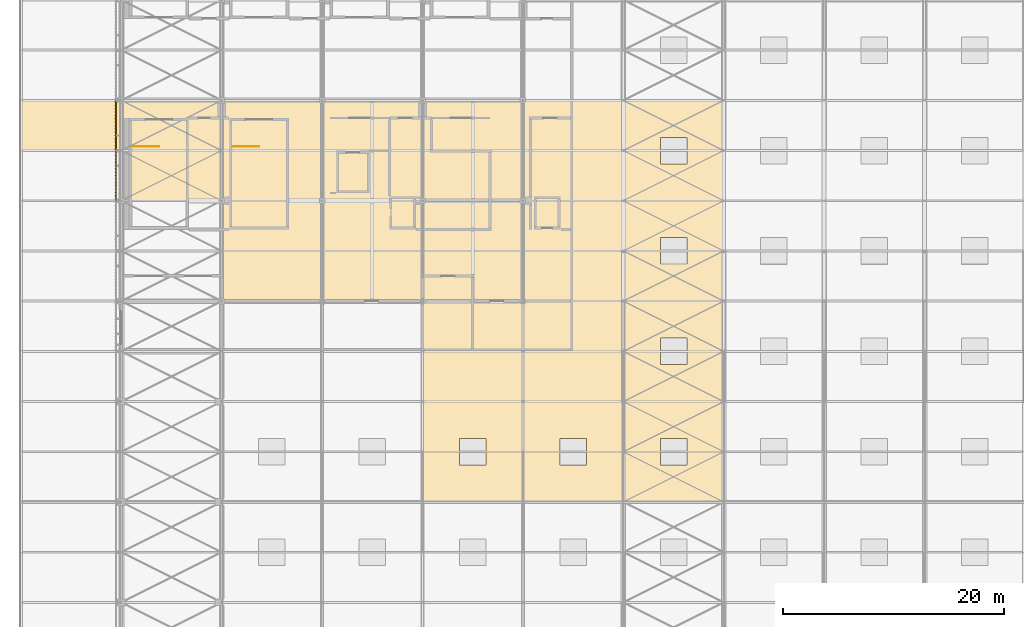
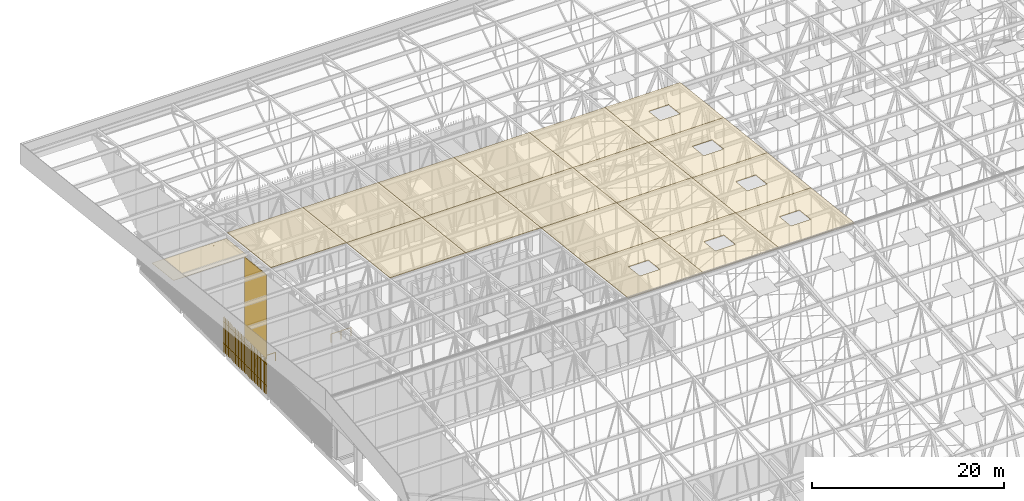
# One storey, part 472 of 500: 18 coverings, 2 railings, 2 shading devices.
"""IFC4 building model written with IfcOpenShell, lengths in metres."""

from ifc_helpers import new_model, si_unit, direction, frame, origin, origin_2d, place, context, subcontext, project, spatial, polyline, rectangle, circle, outline, extrude, material, layer, layer_set, type_object, element, save


model = new_model("IFC4")

# Units and contexts
model_context = context("Model", 3, precision=1e-05, world=origin(), true_north=direction((0.0, 1.0)))
body_context = subcontext(model_context, "Body", "Model", "MODEL_VIEW")
ifc_project = project(units=[si_unit("LENGTHUNIT", "METRE"), si_unit("AREAUNIT", "SQUARE_METRE"), si_unit("VOLUMEUNIT", "CUBIC_METRE"), si_unit("PLANEANGLEUNIT", "RADIAN"), si_unit("MASSUNIT", "GRAM", prefix="KILO")], contexts=[model_context])

# Site, building, storey
site_placement = place(None, origin())
site = spatial("IfcSite", under=ifc_project, at=site_placement, CompositionType="ELEMENT")
building_placement = place(site_placement, origin())
building = spatial("IfcBuilding", under=site, at=building_placement, Name="Shirokan Park Arena", CompositionType="ELEMENT")
storey_placement = place(building_placement, frame((0.0, 0.0, 29.1201171875)))
storey = spatial("IfcBuildingStorey", under=building, at=storey_placement, Name="L06", CompositionType="ELEMENT", Elevation=29.1201171875)

# Coverings
ifc_material_1 = material(Name="Bituminous roofing membrane")
ifc_layer_1 = layer(ifc_material_1, 0.010009765625, Name="Bituminous roofing membrane")
ifc_material_2 = material(Name="Mineral wool insulation")
ifc_layer_2 = layer(ifc_material_2, 0.050048828125, Name="Mineral wool insulation")
ifc_layer_set_1 = layer_set([ifc_layer_1, ifc_layer_2], Name="Bituminous roofing membrane + Mineral wool insulation")
covering_type_1 = type_object("IfcCoveringType", Name="Roofing membrane 60", PredefinedType="ROOFING", material=ifc_layer_set_1)
covering_1_placement = place(storey_placement, frame((0.0, 81.89990234375, 16.05078125), z_axis=(0.0, 0.113549598152, 0.993532328996), x_axis=(1.0, 0.0, 0.0)))
element("IfcCovering", 1, at=covering_1_placement, inside=storey, type_object=covering_type_1, Name="Roofing", PredefinedType="ROOFING", context=body_context, shape_type="SweptSolid", body=[
    extrude(outline(polyline([(0.0, 0.0), (9.10009765625, 0.0), (9.10009765625, 9.15933723611117), (0.0, 9.15933723611117), (0.0, 0.0)])), origin(), (0.0, 0.0, -1.0), 0.06005859375),
])
covering_2_placement = place(storey_placement, frame((9.10009765625, 72.800048828125, 17.090576171875), z_axis=(0.0, 0.113526293343, 0.993534992197), x_axis=(1.0, 0.0, 0.0)))
element("IfcCovering", 2, at=covering_2_placement, inside=storey, type_object=covering_type_1, Name="Roofing", PredefinedType="ROOFING", context=body_context, shape_type="SweptSolid", body=[
    extrude(outline(polyline([(0.0, 0.0), (9.099853515625, 0.0), (9.099853515625, 9.159066954957241), (0.0, 9.159066954957241), (0.0, 0.0)])), origin(), (0.0, 0.0, -1.0), 0.06005859375),
])
covering_3_placement = place(storey_placement, frame((9.10009765625, 81.89990234375, 16.05078125), z_axis=(0.0, 0.113549598152, 0.993532328996), x_axis=(1.0, 0.0, 0.0)))
element("IfcCovering", 3, at=covering_3_placement, inside=storey, type_object=covering_type_1, Name="Roofing", PredefinedType="ROOFING", context=body_context, shape_type="SweptSolid", body=[
    extrude(outline(polyline([(0.0, 0.0), (9.099853515625, 0.0), (9.099853515625, 9.15933723611117), (0.0, 9.15933723611117), (0.0, 0.0)])), origin(), (0.0, 0.0, -1.0), 0.06005859375),
])
covering_4_placement = place(storey_placement, frame((18.199951171875, 72.800048828125, 17.090576171875), z_axis=(0.0, 0.113526293343, 0.993534992197), x_axis=(1.0, 0.0, 0.0)))
element("IfcCovering", 4, at=covering_4_placement, inside=storey, type_object=covering_type_1, Name="Roofing", PredefinedType="ROOFING", context=body_context, shape_type="SweptSolid", body=[
    extrude(outline(polyline([(0.0, 0.0), (9.10009765625, 0.0), (9.10009765625, 9.159066954957241), (0.0, 9.159066954957241), (0.0, 0.0)])), origin(), (0.0, 0.0, -1.0), 0.06005859375),
])
covering_5_placement = place(storey_placement, frame((18.199951171875, 81.89990234375, 16.05078125), z_axis=(0.0, 0.113549598152, 0.993532328996), x_axis=(1.0, 0.0, 0.0)))
element("IfcCovering", 5, at=covering_5_placement, inside=storey, type_object=covering_type_1, Name="Roofing", PredefinedType="ROOFING", context=body_context, shape_type="SweptSolid", body=[
    extrude(outline(polyline([(0.0, 0.0), (9.10009765625, 0.0), (9.10009765625, 9.15933723611117), (0.0, 9.15933723611117), (0.0, 0.0)])), origin(), (0.0, 0.0, -1.0), 0.06005859375),
])
covering_6_placement = place(storey_placement, frame((27.300048828125, 54.60009765625, 19.170654296875), z_axis=(0.0, 0.113552605302, 0.993531985308), x_axis=(1.0, 0.0, 0.0)))
element("IfcCovering", 6, at=covering_6_placement, inside=storey, type_object=covering_type_1, Name="Roofing", PredefinedType="ROOFING", context=body_context, shape_type="SweptSolid", body=[
    extrude(outline(polyline([(0.0, 0.0), (9.099853515625, 0.0), (9.099853515625, 9.159094674549365), (0.0, 9.159094674549365), (0.0, 0.0)]), holes=[polyline([(5.75, 3.371655970585497), (5.75, 5.7874387039638675), (3.349853515625, 5.7874387039638675), (3.349853515625, 3.371655970585497), (5.75, 3.371655970585497)])]), origin(), (0.0, 0.0, -1.0), 0.06005859375),
])
covering_7_placement = place(storey_placement, frame((27.300048828125, 63.699951171875, 18.130615234375), z_axis=(0.0, 0.113549598152, 0.993532328996), x_axis=(1.0, 0.0, 0.0)))
element("IfcCovering", 7, at=covering_7_placement, inside=storey, type_object=covering_type_1, Name="Roofing", PredefinedType="ROOFING", context=body_context, shape_type="SweptSolid", body=[
    extrude(outline(polyline([(0.0, 0.0), (9.099853515625, 0.0), (9.099853515625, 9.15933723611117), (0.0, 9.15933723611117), (0.0, 0.0)])), origin(), (0.0, 0.0, -1.0), 0.06005859375),
])
covering_8_placement = place(storey_placement, frame((27.300048828125, 72.800048828125, 17.090576171875), z_axis=(0.0, 0.113526293343, 0.993534992197), x_axis=(1.0, 0.0, 0.0)))
element("IfcCovering", 8, at=covering_8_placement, inside=storey, type_object=covering_type_1, Name="Roofing", PredefinedType="ROOFING", context=body_context, shape_type="SweptSolid", body=[
    extrude(outline(polyline([(0.0, 0.0), (9.099853515625, 0.0), (9.099853515625, 9.159066954957241), (0.0, 9.159066954957241), (0.0, 0.0)])), origin(), (0.0, 0.0, -1.0), 0.06005859375),
])
covering_9_placement = place(storey_placement, frame((27.300048828125, 81.89990234375, 16.05078125), z_axis=(0.0, 0.113549598152, 0.993532328996), x_axis=(1.0, 0.0, 0.0)))
element("IfcCovering", 9, at=covering_9_placement, inside=storey, type_object=covering_type_1, Name="Roofing", PredefinedType="ROOFING", context=body_context, shape_type="SweptSolid", body=[
    extrude(outline(polyline([(0.0, 0.0), (9.099853515625, 0.0), (9.099853515625, 9.15933723611117), (0.0, 9.15933723611117), (0.0, 0.0)])), origin(), (0.0, 0.0, -1.0), 0.06005859375),
])
covering_10_placement = place(storey_placement, frame((36.39990234375, 54.60009765625, 19.170654296875), z_axis=(0.0, 0.113552605302, 0.993531985308), x_axis=(1.0, 0.0, 0.0)))
element("IfcCovering", 10, at=covering_10_placement, inside=storey, type_object=covering_type_1, Name="Roofing", PredefinedType="ROOFING", context=body_context, shape_type="SweptSolid", body=[
    extrude(outline(polyline([(0.0, 0.0), (9.10009765625, 0.0), (9.10009765625, 9.159094674549367), (0.0, 9.159094674549367), (0.0, 0.0)]), holes=[polyline([(5.75, 3.3716559705854974), (5.75, 5.787438703963868), (3.35009765625, 5.787438703963868), (3.35009765625, 3.3716559705854974), (5.75, 3.3716559705854974)])]), origin(), (0.0, 0.0, -1.0), 0.06005859375),
])
covering_11_placement = place(storey_placement, frame((36.39990234375, 63.699951171875, 18.130615234375), z_axis=(0.0, 0.113549598152, 0.993532328996), x_axis=(1.0, 0.0, 0.0)))
element("IfcCovering", 11, at=covering_11_placement, inside=storey, type_object=covering_type_1, Name="Roofing", PredefinedType="ROOFING", context=body_context, shape_type="SweptSolid", body=[
    extrude(outline(polyline([(0.0, 0.0), (9.10009765625, 0.0), (9.10009765625, 9.15933723611117), (0.0, 9.15933723611117), (0.0, 0.0)])), origin(), (0.0, 0.0, -1.0), 0.06005859375),
])
covering_12_placement = place(storey_placement, frame((36.39990234375, 72.800048828125, 17.090576171875), z_axis=(0.0, 0.113526293343, 0.993534992197), x_axis=(1.0, 0.0, 0.0)))
element("IfcCovering", 12, at=covering_12_placement, inside=storey, type_object=covering_type_1, Name="Roofing", PredefinedType="ROOFING", context=body_context, shape_type="SweptSolid", body=[
    extrude(outline(polyline([(0.0, 0.0), (9.10009765625, 0.0), (9.10009765625, 9.159066954957241), (0.0, 9.159066954957241), (0.0, 0.0)])), origin(), (0.0, 0.0, -1.0), 0.06005859375),
])
covering_13_placement = place(storey_placement, frame((36.39990234375, 81.89990234375, 16.05078125), z_axis=(0.0, 0.113549598152, 0.993532328996), x_axis=(1.0, 0.0, 0.0)))
element("IfcCovering", 13, at=covering_13_placement, inside=storey, type_object=covering_type_1, Name="Roofing", PredefinedType="ROOFING", context=body_context, shape_type="SweptSolid", body=[
    extrude(outline(polyline([(0.0, 0.0), (9.10009765625, 0.0), (9.10009765625, 9.15933723611117), (0.0, 9.15933723611117), (0.0, 0.0)])), origin(), (0.0, 0.0, -1.0), 0.06005859375),
])
covering_14_placement = place(storey_placement, frame((45.5, 54.60009765625, 19.170654296875), z_axis=(0.0, 0.113552605302, 0.993531985308), x_axis=(1.0, 0.0, 0.0)))
element("IfcCovering", 14, at=covering_14_placement, inside=storey, type_object=covering_type_1, Name="Roofing", PredefinedType="ROOFING", context=body_context, shape_type="SweptSolid", body=[
    extrude(outline(polyline([(0.0, 0.0), (9.10009765625, 0.0), (9.10009765625, 9.159094674549367), (0.0, 9.159094674549367), (0.0, 0.0)]), holes=[polyline([(5.75, 3.3716559705854974), (5.75, 5.787438703963868), (3.35009765625, 5.787438703963868), (3.35009765625, 3.3716559705854974), (5.75, 3.3716559705854974)])]), origin(), (0.0, 0.0, -1.0), 0.06005859375),
])
covering_15_placement = place(storey_placement, frame((45.5, 63.699951171875, 18.130615234375), z_axis=(0.0, 0.113549598152, 0.993532328996), x_axis=(1.0, 0.0, 0.0)))
element("IfcCovering", 15, at=covering_15_placement, inside=storey, type_object=covering_type_1, Name="Roofing", PredefinedType="ROOFING", context=body_context, shape_type="SweptSolid", body=[
    extrude(outline(polyline([(0.0, 0.0), (9.10009765625, 0.0), (9.10009765625, 9.15933723611117), (0.0, 9.15933723611117), (0.0, 0.0)]), holes=[polyline([(5.75, 3.3718985323194914), (5.75, 5.787410981721819), (3.35009765625, 5.787410981721819), (3.35009765625, 3.3718985323194914), (5.75, 3.3718985323194914)])]), origin(), (0.0, 0.0, -1.0), 0.06005859375),
])
covering_16_placement = place(storey_placement, frame((45.5, 72.800048828125, 17.090576171875), z_axis=(0.0, 0.113526293343, 0.993534992197), x_axis=(1.0, 0.0, 0.0)))
element("IfcCovering", 16, at=covering_16_placement, inside=storey, type_object=covering_type_1, Name="Roofing", PredefinedType="ROOFING", context=body_context, shape_type="SweptSolid", body=[
    extrude(outline(polyline([(0.0, 0.0), (9.10009765625, 0.0), (9.10009765625, 9.159066954957241), (0.0, 9.159066954957241), (0.0, 0.0)]), holes=[polyline([(5.75, 3.371655970677786), (5.75, 5.787410984279454), (3.35009765625, 5.787410984279454), (3.35009765625, 3.371655970677786), (5.75, 3.371655970677786)])]), origin(), (0.0, 0.0, -1.0), 0.06005859375),
])
covering_17_placement = place(storey_placement, frame((45.5, 81.89990234375, 16.05078125), z_axis=(0.0, 0.113549598152, 0.993532328996), x_axis=(1.0, 0.0, 0.0)))
element("IfcCovering", 17, at=covering_17_placement, inside=storey, type_object=covering_type_1, Name="Roofing", PredefinedType="ROOFING", context=body_context, shape_type="SweptSolid", body=[
    extrude(outline(polyline([(0.0, 0.0), (9.10009765625, 0.0), (9.10009765625, 9.15933723611117), (0.0, 9.15933723611117), (0.0, 0.0)]), holes=[polyline([(5.75, 3.371926254389353), (5.75, 5.78743870379168), (3.35009765625, 5.78743870379168), (3.35009765625, 3.371926254389353), (5.75, 3.371926254389353)])]), origin(), (0.0, 0.0, -1.0), 0.06005859375),
])

# Railings
ifc_material_3 = material(Name="Stainless steel", Category="steel")
railing_type = type_object("IfcRailingType", Name="Stair well guard 1100", PredefinedType="GUARDRAIL", material=ifc_material_3)
for number, where, name in (
    (18, (1.0, 86.800048828125, 0.0), "Guard Exit Stair 4.E L06"),
    (19, (10.10009765625, 86.800048828125, 0.0), "Guard Exit Stair 4.F L06"),
):
    element("IfcRailing", number, at=place(storey_placement, frame(where)), inside=storey, type_object=railing_type, Name=name, PredefinedType="GUARDRAIL", context=body_context, shape_type="SweptSolid", body=[
        extrude(circle(Radius=0.02490234375, at=origin_2d()), frame((0.0, 0.0, 1.0771484375), z_axis=(1.0, 0.0, 0.0), x_axis=(0.0, 1.0, 0.0)), (0.0, 0.0, 1.0), 2.39990234375),
        extrude(circle(Radius=0.02490234375, at=origin_2d()), origin(), (0.0, 0.0, 1.0), 1.052001953125),
        extrude(circle(Radius=0.02490234375, at=origin_2d()), frame((1.199951171875, 0.0, 0.0)), (0.0, 0.0, 1.0), 1.052001953125),
        extrude(circle(Radius=0.02490234375, at=origin_2d()), frame((2.39990234375, 0.0, 0.0)), (0.0, 0.0, 1.0), 1.052001953125),
    ])

# Covering
ifc_material_4 = material(Name="Timber soffit boards (cedar)", Category="wood")
ifc_layer_3 = layer(ifc_material_4, 0.030029296875)
ifc_layer_set_2 = layer_set([ifc_layer_3], Name="Timber soffit boards (cedar) 30 mm")
covering_type_2 = type_object("IfcCoveringType", Name="Timber boarded soffit panel", PredefinedType="CLADDING", material=ifc_layer_set_2)
covering_18_placement = place(storey_placement, origin())
element("IfcCovering", 20, at=covering_18_placement, inside=storey, type_object=covering_type_2, Name="Rake soffit west bay 22", PredefinedType="CLADDING", context=body_context, shape_type="SweptSolid", body=[
    extrude(outline(polyline([(0.0, 0.0), (0.11999999999999922, 0.0), (0.11999999999999922, -4.579617887990217), (0.0, -4.579617887990217), (0.0, 0.0)])), frame((-8.97998046875, 86.449951171875, 14.82177734375), z_axis=(0.0, 0.113546591161, 0.993532672656), x_axis=(-1.0, 0.0, 0.0)), (0.0, 0.0, -1.0), 0.030029296875),
    extrude(outline(polyline([(0.0, 0.0), (0.12, 0.0), (0.12, -4.579617887990218), (0.0, -4.579617887990218), (0.0, 0.0)])), frame((-0.2470703125, 91.0, 14.302001953125), z_axis=(0.0, 0.113546591161, 0.993532672656), x_axis=(1.0, 0.0, 0.0)), (0.0, 0.0, -1.0), 0.030029296875),
    extrude(outline(polyline([(0.0, 0.0), (0.12078064455864267, 0.0), (0.12078064455864267, -8.733), (0.0, -8.733), (0.0, 0.0)])), frame((-0.2470703125, 91.0, 14.302001953125), z_axis=(0.0, 0.11351156512, 0.993536675007), x_axis=(0.0, -0.993536675007, 0.11351156512)), (0.0, 0.0, -1.0), 0.030029296875),
    extrude(outline(polyline([(0.0, 0.0), (0.12078064455862855, 0.0), (0.12078064455862855, -8.733), (0.0, -8.733), (0.0, 0.0)])), frame((-8.97998046875, 86.449951171875, 14.82177734375), z_axis=(0.0, 0.11351156512, 0.993536675007), x_axis=(0.0, 0.993536675007, -0.11351156512)), (0.0, 0.0, -1.0), 0.030029296875),
    extrude(outline(polyline([(0.0, 0.0), (8.733, 0.0), (8.733, -0.18452428160002216), (0.0, -0.18452428160002216), (0.0, 0.0)])), frame((-8.97998046875, 86.75341796875, 14.787109375), z_axis=(0.0, 0.113589386818, 0.99352778079), x_axis=(1.0, 0.0, 0.0)), (0.0, 0.0, -1.0), 0.030029296875),
    extrude(outline(polyline([(0.0, 0.0), (8.733, 0.0), (8.733, -0.30531372586242334), (0.0, -0.30531372586242334), (0.0, 0.0)])), frame((-8.97998046875, 87.056640625, 14.75244140625), z_axis=(0.0, 0.113522573877, 0.993535417195), x_axis=(1.0, 0.0, 0.0)), (0.0, 0.0, -1.0), 0.030029296875),
    extrude(outline(polyline([(0.0, 0.0), (8.733, 0.0), (8.733, -0.30530492593471437), (0.0, -0.30530492593471437), (0.0, 0.0)])), frame((-8.97998046875, 87.360107421875, 14.7177734375), z_axis=(0.0, 0.113558600124, 0.99353130013), x_axis=(1.0, 0.0, 0.0)), (0.0, 0.0, -1.0), 0.030029296875),
    extrude(outline(polyline([(0.0, 0.0), (8.733, 0.0), (8.733, -0.30530492593471437), (0.0, -0.30530492593471437), (0.0, 0.0)])), frame((-8.97998046875, 87.663330078125, 14.68310546875), z_axis=(0.0, 0.113558600124, 0.99353130013), x_axis=(1.0, 0.0, 0.0)), (0.0, 0.0, -1.0), 0.030029296875),
    extrude(outline(polyline([(0.0, 0.0), (8.733, 0.0), (8.733, -0.30531372586242334), (0.0, -0.30531372586242334), (0.0, 0.0)])), frame((-8.97998046875, 87.966552734375, 14.6484375), z_axis=(0.0, 0.113522573877, 0.993535417195), x_axis=(1.0, 0.0, 0.0)), (0.0, 0.0, -1.0), 0.030029296875),
    extrude(outline(polyline([(0.0, 0.0), (8.733, 0.0), (8.733, -0.30530492593471437), (0.0, -0.30530492593471437), (0.0, 0.0)])), frame((-8.97998046875, 88.27001953125, 14.61376953125), z_axis=(0.0, 0.113558600124, 0.99353130013), x_axis=(1.0, 0.0, 0.0)), (0.0, 0.0, -1.0), 0.030029296875),
    extrude(outline(polyline([(0.0, 0.0), (8.733, 0.0), (8.733, -0.30530492593471437), (0.0, -0.30530492593471437), (0.0, 0.0)])), frame((-8.97998046875, 88.5732421875, 14.5791015625), z_axis=(0.0, 0.113558600124, 0.99353130013), x_axis=(1.0, 0.0, 0.0)), (0.0, 0.0, -1.0), 0.030029296875),
    extrude(outline(polyline([(0.0, 0.0), (8.733, 0.0), (8.733, -0.3053137258624375), (0.0, -0.3053137258624375), (0.0, 0.0)])), frame((-8.97998046875, 88.876708984375, 14.54443359375), z_axis=(0.0, 0.113522573877, 0.993535417195), x_axis=(1.0, 0.0, 0.0)), (0.0, 0.0, -1.0), 0.030029296875),
    extrude(outline(polyline([(0.0, 0.0), (8.733, 0.0), (8.733, -0.30530492593471437), (0.0, -0.30530492593471437), (0.0, 0.0)])), frame((-8.97998046875, 89.179931640625, 14.509765625), z_axis=(0.0, 0.113558600124, 0.99353130013), x_axis=(1.0, 0.0, 0.0)), (0.0, 0.0, -1.0), 0.030029296875),
    extrude(outline(polyline([(0.0, 0.0), (8.733, 0.0), (8.733, -0.30530492593470104), (0.0, -0.30530492593470104), (0.0, 0.0)])), frame((-8.97998046875, 89.4833984375, 14.47509765625), z_axis=(0.0, 0.113558600124, 0.99353130013), x_axis=(1.0, 0.0, 0.0)), (0.0, 0.0, -1.0), 0.030029296875),
    extrude(outline(polyline([(0.0, 0.0), (8.733, 0.0), (8.733, -0.3053137258624367), (0.0, -0.3053137258624367), (0.0, 0.0)])), frame((-8.97998046875, 89.78662109375, 14.440673828125), z_axis=(0.0, 0.113522573877, 0.993535417195), x_axis=(1.0, 0.0, 0.0)), (0.0, 0.0, -1.0), 0.030029296875),
    extrude(outline(polyline([(0.0, 0.0), (8.733, 0.0), (8.733, -0.30530492593471437), (0.0, -0.30530492593471437), (0.0, 0.0)])), frame((-8.97998046875, 90.090087890625, 14.40576171875), z_axis=(0.0, 0.113558600124, 0.99353130013), x_axis=(1.0, 0.0, 0.0)), (0.0, 0.0, -1.0), 0.030029296875),
    extrude(outline(polyline([(0.0, 0.0), (8.733, 0.0), (8.733, -0.3053049259347152), (0.0, -0.3053049259347152), (0.0, 0.0)])), frame((-8.97998046875, 90.393310546875, 14.37109375), z_axis=(0.0, 0.113558600124, 0.99353130013), x_axis=(1.0, 0.0, 0.0)), (0.0, 0.0, -1.0), 0.030029296875),
    extrude(outline(polyline([(0.0, 0.0), (8.733, 0.0), (8.733, -0.30531372586242256), (0.0, -0.30531372586242256), (0.0, 0.0)])), frame((-8.97998046875, 90.69677734375, 14.336669921875), z_axis=(0.0, 0.113522573877, 0.993535417195), x_axis=(1.0, 0.0, 0.0)), (0.0, 0.0, -1.0), 0.030029296875),
    extrude(outline(polyline([(0.0, 0.0), (8.733, 0.0), (8.733, -0.18452428160000883), (0.0, -0.18452428160000883), (0.0, 0.0)])), frame((-8.97998046875, 90.8798828125, 14.315673828125), z_axis=(0.0, 0.113589386818, 0.99352778079), x_axis=(1.0, 0.0, 0.0)), (0.0, 0.0, -1.0), 0.030029296875),
])

# Shading devices
ifc_material_5 = material(Name="Timber louvre veil (cedar)", Category="wood")
shading_device_type_1 = type_object("IfcShadingDeviceType", Name="Timber louvre veil panel", PredefinedType="JALOUSIE", material=ifc_material_5)
shading_device_1_placement = place(storey_placement, origin())
element("IfcShadingDevice", 21, at=shading_device_1_placement, inside=storey, type_object=shading_device_type_1, Name="Timber louvre veil west bay 3 L06", PredefinedType="JALOUSIE", context=body_context, shape_type="SweptSolid", body=[
    extrude(rectangle(XDim=0.050048828125, YDim=0.080078125, at=origin_2d()), frame((-0.485107421875, 90.848388671875, 0.0), z_axis=(0.0, 0.0, 1.0), x_axis=(0.0, -1.0, 0.0)), (0.0, 0.0, 1.0), 4.5),
    extrude(rectangle(XDim=0.050048828125, YDim=0.080078125, at=origin_2d()), frame((-0.485107421875, 90.544921875, 0.0), z_axis=(0.0, 0.0, 1.0), x_axis=(0.0, -1.0, 0.0)), (0.0, 0.0, 1.0), 4.5),
    extrude(rectangle(XDim=0.050048828125, YDim=0.080078125, at=origin_2d()), frame((-0.485107421875, 90.24169921875, 0.0), z_axis=(0.0, 0.0, 1.0), x_axis=(0.0, -1.0, 0.0)), (0.0, 0.0, 1.0), 4.5),
    extrude(rectangle(XDim=0.050048828125, YDim=0.080078125, at=origin_2d()), frame((-0.485107421875, 89.938232421875, 0.0), z_axis=(0.0, 0.0, 1.0), x_axis=(0.0, -1.0, 0.0)), (0.0, 0.0, 1.0), 4.5),
    extrude(rectangle(XDim=0.050048828125, YDim=0.080078125, at=origin_2d()), frame((-0.485107421875, 89.635009765625, 0.0), z_axis=(0.0, 0.0, 1.0), x_axis=(0.0, -1.0, 0.0)), (0.0, 0.0, 1.0), 4.5),
    extrude(rectangle(XDim=0.050048828125, YDim=0.080078125, at=origin_2d()), frame((-0.485107421875, 89.331787109375, 0.0), z_axis=(0.0, 0.0, 1.0), x_axis=(0.0, -1.0, 0.0)), (0.0, 0.0, 1.0), 4.5),
    extrude(rectangle(XDim=0.050048828125, YDim=0.080078125, at=origin_2d()), frame((-0.485107421875, 89.0283203125, 0.0), z_axis=(0.0, 0.0, 1.0), x_axis=(0.0, -1.0, 0.0)), (0.0, 0.0, 1.0), 4.5),
    extrude(rectangle(XDim=0.050048828125, YDim=0.080078125, at=origin_2d()), frame((-0.485107421875, 88.72509765625, 0.0), z_axis=(0.0, 0.0, 1.0), x_axis=(0.0, -1.0, 0.0)), (0.0, 0.0, 1.0), 4.5),
    extrude(rectangle(XDim=0.050048828125, YDim=0.080078125, at=origin_2d()), frame((-0.485107421875, 88.421630859375, 0.0), z_axis=(0.0, 0.0, 1.0), x_axis=(0.0, -1.0, 0.0)), (0.0, 0.0, 1.0), 4.5),
    extrude(rectangle(XDim=0.050048828125, YDim=0.080078125, at=origin_2d()), frame((-0.485107421875, 88.118408203125, 0.0), z_axis=(0.0, 0.0, 1.0), x_axis=(0.0, -1.0, 0.0)), (0.0, 0.0, 1.0), 4.5),
    extrude(rectangle(XDim=0.050048828125, YDim=0.080078125, at=origin_2d()), frame((-0.485107421875, 87.81494140625, 0.0), z_axis=(0.0, 0.0, 1.0), x_axis=(0.0, -1.0, 0.0)), (0.0, 0.0, 1.0), 4.5),
    extrude(rectangle(XDim=0.050048828125, YDim=0.080078125, at=origin_2d()), frame((-0.485107421875, 87.51171875, 0.0), z_axis=(0.0, 0.0, 1.0), x_axis=(0.0, -1.0, 0.0)), (0.0, 0.0, 1.0), 4.5),
    extrude(rectangle(XDim=0.050048828125, YDim=0.080078125, at=origin_2d()), frame((-0.485107421875, 87.208251953125, 0.0), z_axis=(0.0, 0.0, 1.0), x_axis=(0.0, -1.0, 0.0)), (0.0, 0.0, 1.0), 4.5),
    extrude(rectangle(XDim=0.050048828125, YDim=0.080078125, at=origin_2d()), frame((-0.485107421875, 86.905029296875, 0.0), z_axis=(0.0, 0.0, 1.0), x_axis=(0.0, -1.0, 0.0)), (0.0, 0.0, 1.0), 4.5),
    extrude(rectangle(XDim=0.050048828125, YDim=0.080078125, at=origin_2d()), frame((-0.485107421875, 86.6015625, 0.0), z_axis=(0.0, 0.0, 1.0), x_axis=(0.0, -1.0, 0.0)), (0.0, 0.0, 1.0), 4.5),
    extrude(rectangle(XDim=0.050048828125, YDim=0.080078125, at=origin_2d()), frame((-0.485107421875, 86.29833984375, 0.0), z_axis=(0.0, 0.0, 1.0), x_axis=(0.0, -1.0, 0.0)), (0.0, 0.0, 1.0), 4.5),
    extrude(rectangle(XDim=0.050048828125, YDim=0.080078125, at=origin_2d()), frame((-0.485107421875, 85.9951171875, 0.0), z_axis=(0.0, 0.0, 1.0), x_axis=(0.0, -1.0, 0.0)), (0.0, 0.0, 1.0), 4.5),
    extrude(rectangle(XDim=0.050048828125, YDim=0.080078125, at=origin_2d()), frame((-0.485107421875, 85.691650390625, 0.0), z_axis=(0.0, 0.0, 1.0), x_axis=(0.0, -1.0, 0.0)), (0.0, 0.0, 1.0), 4.5),
    extrude(rectangle(XDim=0.050048828125, YDim=0.080078125, at=origin_2d()), frame((-0.485107421875, 85.388427734375, 0.0), z_axis=(0.0, 0.0, 1.0), x_axis=(0.0, -1.0, 0.0)), (0.0, 0.0, 1.0), 4.5),
    extrude(rectangle(XDim=0.050048828125, YDim=0.080078125, at=origin_2d()), frame((-0.485107421875, 85.0849609375, 0.0), z_axis=(0.0, 0.0, 1.0), x_axis=(0.0, -1.0, 0.0)), (0.0, 0.0, 1.0), 4.5),
    extrude(rectangle(XDim=0.050048828125, YDim=0.080078125, at=origin_2d()), frame((-0.485107421875, 84.78173828125, 0.0), z_axis=(0.0, 0.0, 1.0), x_axis=(0.0, -1.0, 0.0)), (0.0, 0.0, 1.0), 4.5),
    extrude(rectangle(XDim=0.050048828125, YDim=0.080078125, at=origin_2d()), frame((-0.485107421875, 84.478271484375, 0.0), z_axis=(0.0, 0.0, 1.0), x_axis=(0.0, -1.0, 0.0)), (0.0, 0.0, 1.0), 4.5),
    extrude(rectangle(XDim=0.050048828125, YDim=0.080078125, at=origin_2d()), frame((-0.485107421875, 84.175048828125, 0.0), z_axis=(0.0, 0.0, 1.0), x_axis=(0.0, -1.0, 0.0)), (0.0, 0.0, 1.0), 4.5),
    extrude(rectangle(XDim=0.050048828125, YDim=0.080078125, at=origin_2d()), frame((-0.485107421875, 83.87158203125, 0.0), z_axis=(0.0, 0.0, 1.0), x_axis=(0.0, -1.0, 0.0)), (0.0, 0.0, 1.0), 4.5),
    extrude(rectangle(XDim=0.050048828125, YDim=0.080078125, at=origin_2d()), frame((-0.485107421875, 83.568359375, 0.0), z_axis=(0.0, 0.0, 1.0), x_axis=(0.0, -1.0, 0.0)), (0.0, 0.0, 1.0), 4.5),
    extrude(rectangle(XDim=0.050048828125, YDim=0.080078125, at=origin_2d()), frame((-0.485107421875, 83.264892578125, 0.0), z_axis=(0.0, 0.0, 1.0), x_axis=(0.0, -1.0, 0.0)), (0.0, 0.0, 1.0), 4.5),
    extrude(rectangle(XDim=0.050048828125, YDim=0.080078125, at=origin_2d()), frame((-0.485107421875, 82.961669921875, 0.0), z_axis=(0.0, 0.0, 1.0), x_axis=(0.0, -1.0, 0.0)), (0.0, 0.0, 1.0), 4.5),
    extrude(rectangle(XDim=0.050048828125, YDim=0.080078125, at=origin_2d()), frame((-0.485107421875, 82.658447265625, 0.0), z_axis=(0.0, 0.0, 1.0), x_axis=(0.0, -1.0, 0.0)), (0.0, 0.0, 1.0), 4.5),
    extrude(rectangle(XDim=0.050048828125, YDim=0.080078125, at=origin_2d()), frame((-0.485107421875, 82.35498046875, 0.0), z_axis=(0.0, 0.0, 1.0), x_axis=(0.0, -1.0, 0.0)), (0.0, 0.0, 1.0), 4.5),
    extrude(rectangle(XDim=0.050048828125, YDim=0.080078125, at=origin_2d()), frame((-0.485107421875, 82.0517578125, 0.0), z_axis=(0.0, 0.0, 1.0), x_axis=(0.0, -1.0, 0.0)), (0.0, 0.0, 1.0), 4.5),
    extrude(rectangle(XDim=9.10009765625, YDim=0.050048828125, at=origin_2d()), frame((-0.469970703125, 86.449951171875, 1.059814453125), z_axis=(0.0, 0.0, 1.0), x_axis=(0.0, -1.0, 0.0)), (0.0, 0.0, 1.0), 0.080078125),
    extrude(rectangle(XDim=9.10009765625, YDim=0.050048828125, at=origin_2d()), frame((-0.469970703125, 86.449951171875, 3.809814453125), z_axis=(0.0, 0.0, 1.0), x_axis=(0.0, -1.0, 0.0)), (0.0, 0.0, 1.0), 0.080078125),
])
shading_device_type_2 = type_object("IfcShadingDeviceType", Name="Timber louvre veil panel, gable band, closed", PredefinedType="JALOUSIE", material=ifc_material_5)
shading_device_2_placement = place(storey_placement, origin())
element("IfcShadingDevice", 22, at=shading_device_2_placement, inside=storey, type_object=shading_device_type_2, Name="Timber louvre veil gable band west bay 21", PredefinedType="JALOUSIE", context=body_context, shape_type="SweptSolid", body=[
    extrude(outline(polyline([(86.449951171875, 4.575927734375), (86.449951171875, 14.7919921875), (86.146728515625, 14.7919921875), (86.146728515625, 14.82666015625), (85.84326171875, 14.82666015625), (85.84326171875, 14.861328125), (85.5400390625, 14.861328125), (85.5400390625, 14.89599609375), (85.236572265625, 14.89599609375), (85.236572265625, 14.9306640625), (84.933349609375, 14.9306640625), (84.933349609375, 14.96533203125), (84.6298828125, 14.96533203125), (84.6298828125, 15.0), (84.32666015625, 15.0), (84.32666015625, 15.03466796875), (84.0234375, 15.03466796875), (84.0234375, 15.0693359375), (83.719970703125, 15.0693359375), (83.719970703125, 15.10400390625), (83.416748046875, 15.10400390625), (83.416748046875, 15.138671875), (83.11328125, 15.138671875), (83.11328125, 15.173095703125), (82.81005859375, 15.173095703125), (82.81005859375, 15.207763671875), (82.506591796875, 15.207763671875), (82.506591796875, 15.242431640625), (82.203369140625, 15.242431640625), (82.203369140625, 15.277099609375), (81.89990234375, 15.277099609375), (81.89990234375, 4.575927734375), (86.449951171875, 4.575927734375)])), frame((-0.525146484375, 0.0, 0.0), z_axis=(1.0, 0.0, 0.0), x_axis=(0.0, 1.0, 0.0)), (0.0, 0.0, 1.0), 0.080078125),
    extrude(rectangle(XDim=0.050048828125, YDim=4.550048828125, at=origin_2d()), frame((-0.469970703125, 84.175048828125, 4.98583984375), z_axis=(0.0, 0.0, 1.0), x_axis=(1.0, 0.0, 0.0)), (0.0, 0.0, 1.0), 0.080078125),
    extrude(rectangle(XDim=0.050048828125, YDim=4.550048828125, at=origin_2d()), frame((-0.469970703125, 84.175048828125, 9.643798828125), z_axis=(0.0, 0.0, 1.0), x_axis=(1.0, 0.0, 0.0)), (0.0, 0.0, 1.0), 0.080078125),
    extrude(rectangle(XDim=0.050048828125, YDim=4.550048828125, at=origin_2d()), frame((-0.469970703125, 84.175048828125, 14.65185546875), z_axis=(0.0, 0.0, 1.0), x_axis=(1.0, 0.0, 0.0)), (0.0, 0.0, 1.0), 0.080078125),
])

save(model, "model.ifc")
